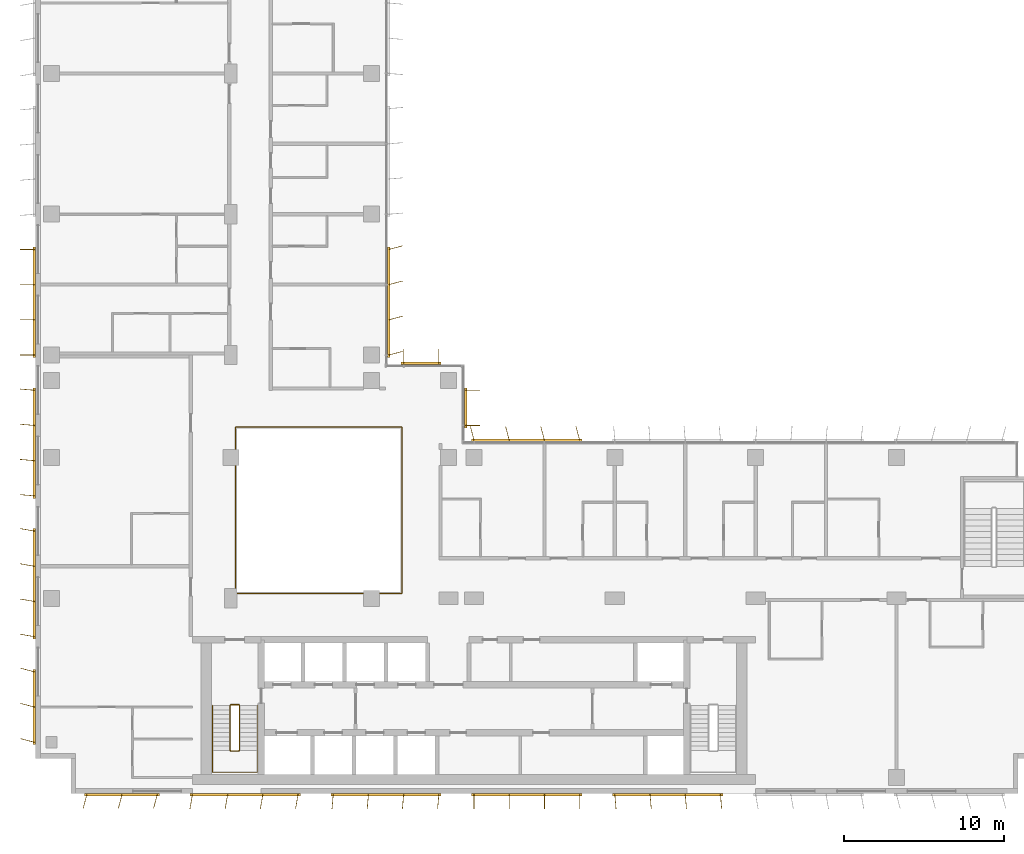
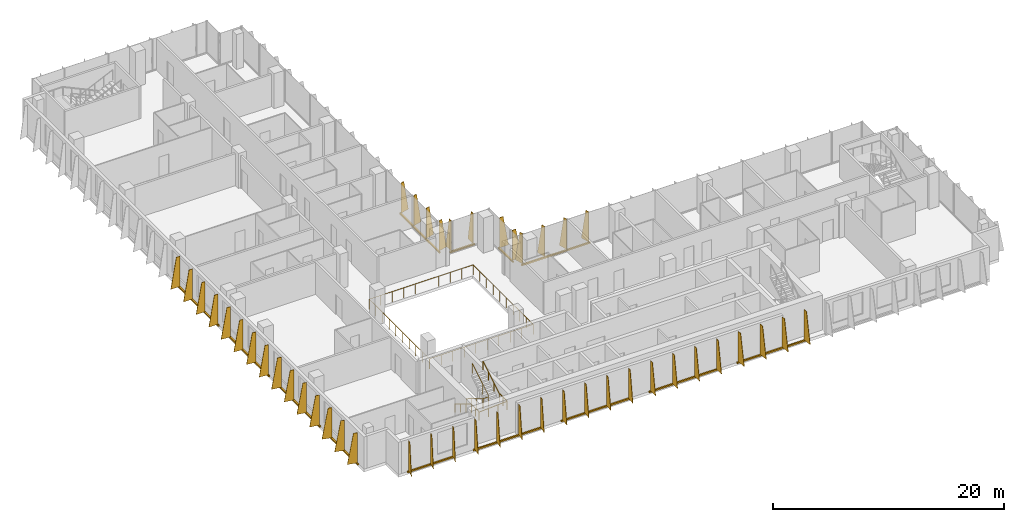
# One storey, part 19 of 21: 13 shading devices, 3 railings.
"""IFC4 building model written with IfcOpenShell, lengths in metres."""

from ifc_helpers import new_model, si_unit, direction, frame, origin, origin_2d, place, context, subcontext, project, spatial, polyline, rectangle, circle, outline, extrude, source, transform, mapped, material, layer, layer_set, type_object, element, save


model = new_model("IFC4")

# Units and contexts
model_context = context("Model", 3, precision=1e-05, world=origin(), true_north=direction((0.0, 1.0)))
body_context = subcontext(model_context, "Body", "Model", "MODEL_VIEW")
ifc_project = project(units=[si_unit("LENGTHUNIT", "METRE"), si_unit("AREAUNIT", "SQUARE_METRE"), si_unit("VOLUMEUNIT", "CUBIC_METRE"), si_unit("PLANEANGLEUNIT", "RADIAN"), si_unit("MASSUNIT", "GRAM", prefix="KILO")], contexts=[model_context])

# Site, building, storey
site_placement = place(None, origin())
site = spatial("IfcSite", under=ifc_project, at=site_placement, CompositionType="ELEMENT")
building_placement = place(site_placement, origin())
building = spatial("IfcBuilding", under=site, at=building_placement, Name="Kemantara Hotel Tower", CompositionType="ELEMENT")
storey_placement = place(building_placement, frame((0.0, 0.0, 171.60009765625)))
storey = spatial("IfcBuildingStorey", under=building, at=storey_placement, Name="L42", CompositionType="ELEMENT", Elevation=171.60009765625)

# Railings
ifc_material_1 = material(Name="Stainless steel and laminated glass balustrade", Category="steel")
railing_type_1 = type_object("IfcRailingType", Name="ATRIUM GUARD 1100", PredefinedType="GUARDRAIL", material=ifc_material_1)
railing_1_placement = place(storey_placement, frame((12.56005859375, 12.5, 0.0)))
element("IfcRailing", 1, at=railing_1_placement, inside=storey, type_object=railing_type_1, Name="ATRIUM GUARD L42", PredefinedType="GUARDRAIL", context=body_context, shape_type="SweptSolid", body=[
    extrude(circle(Radius=0.02490234375, at=origin_2d()), frame((0.0, 0.0, 1.0751953125), z_axis=(1.0, 0.0, 0.0), x_axis=(0.0, 1.0, 0.0)), (0.0, 0.0, 1.0), 10.33984375),
    extrude(circle(Radius=0.02490234375, at=origin_2d()), frame((10.33984375, 0.0, 1.0751953125), z_axis=(0.0, 1.0, 0.0), x_axis=(-1.0, 0.0, 0.0)), (0.0, 0.0, 1.0), 10.39990234375),
    extrude(circle(Radius=0.02490234375, at=origin_2d()), frame((10.33984375, 10.39990234375, 1.0751953125), z_axis=(-1.0, 0.0, 0.0), x_axis=(0.0, -1.0, 0.0)), (0.0, 0.0, 1.0), 10.39990234375),
    extrude(circle(Radius=0.02490234375, at=origin_2d()), frame((-0.06005859375, 10.39990234375, 1.0751953125), z_axis=(0.0, -1.0, 0.0), x_axis=(1.0, 0.0, 0.0)), (0.0, 0.0, 1.0), 10.39990234375),
    extrude(circle(Radius=0.02001953125, at=origin_2d()), origin(), (0.0, 0.0, 1.0), 1.050048828125),
    extrude(circle(Radius=0.02001953125, at=origin_2d()), frame((1.14892578125, 0.0, 0.0)), (0.0, 0.0, 1.0), 1.050048828125),
    extrude(circle(Radius=0.02001953125, at=origin_2d()), frame((2.2978515625, 0.0, 0.0)), (0.0, 0.0, 1.0), 1.050048828125),
    extrude(circle(Radius=0.02001953125, at=origin_2d()), frame((3.446533203125, 0.0, 0.0)), (0.0, 0.0, 1.0), 1.050048828125),
    extrude(circle(Radius=0.02001953125, at=origin_2d()), frame((4.595458984375, 0.0, 0.0)), (0.0, 0.0, 1.0), 1.050048828125),
    extrude(circle(Radius=0.02001953125, at=origin_2d()), frame((5.744384765625, 0.0, 0.0)), (0.0, 0.0, 1.0), 1.050048828125),
    extrude(circle(Radius=0.02001953125, at=origin_2d()), frame((6.893310546875, 0.0, 0.0)), (0.0, 0.0, 1.0), 1.050048828125),
    extrude(circle(Radius=0.02001953125, at=origin_2d()), frame((8.0419921875, 0.0, 0.0)), (0.0, 0.0, 1.0), 1.050048828125),
    extrude(circle(Radius=0.02001953125, at=origin_2d()), frame((9.19091796875, 0.0, 0.0)), (0.0, 0.0, 1.0), 1.050048828125),
    extrude(circle(Radius=0.02001953125, at=origin_2d()), frame((10.33984375, 0.0, 0.0)), (0.0, 0.0, 1.0), 1.050048828125),
    extrude(circle(Radius=0.02001953125, at=origin_2d()), frame((10.33984375, 1.155517578125, 0.0)), (0.0, 0.0, 1.0), 1.050048828125),
    extrude(circle(Radius=0.02001953125, at=origin_2d()), frame((10.33984375, 2.31103515625, 0.0)), (0.0, 0.0, 1.0), 1.050048828125),
    extrude(circle(Radius=0.02001953125, at=origin_2d()), frame((10.33984375, 3.466552734375, 0.0)), (0.0, 0.0, 1.0), 1.050048828125),
    extrude(circle(Radius=0.02001953125, at=origin_2d()), frame((10.33984375, 4.6220703125, 0.0)), (0.0, 0.0, 1.0), 1.050048828125),
    extrude(circle(Radius=0.02001953125, at=origin_2d()), frame((10.33984375, 5.77783203125, 0.0)), (0.0, 0.0, 1.0), 1.050048828125),
    extrude(circle(Radius=0.02001953125, at=origin_2d()), frame((10.33984375, 6.933349609375, 0.0)), (0.0, 0.0, 1.0), 1.050048828125),
    extrude(circle(Radius=0.02001953125, at=origin_2d()), frame((10.33984375, 8.0888671875, 0.0)), (0.0, 0.0, 1.0), 1.050048828125),
    extrude(circle(Radius=0.02001953125, at=origin_2d()), frame((10.33984375, 9.244384765625, 0.0)), (0.0, 0.0, 1.0), 1.050048828125),
    extrude(circle(Radius=0.02001953125, at=origin_2d()), frame((10.33984375, 10.39990234375, 0.0)), (0.0, 0.0, 1.0), 1.050048828125),
    extrude(circle(Radius=0.02001953125, at=origin_2d()), frame((9.184326171875, 10.39990234375, 0.0)), (0.0, 0.0, 1.0), 1.050048828125),
    extrude(circle(Radius=0.02001953125, at=origin_2d()), frame((8.02880859375, 10.39990234375, 0.0)), (0.0, 0.0, 1.0), 1.050048828125),
    extrude(circle(Radius=0.02001953125, at=origin_2d()), frame((6.873291015625, 10.39990234375, 0.0)), (0.0, 0.0, 1.0), 1.050048828125),
    extrude(circle(Radius=0.02001953125, at=origin_2d()), frame((5.7177734375, 10.39990234375, 0.0)), (0.0, 0.0, 1.0), 1.050048828125),
    extrude(circle(Radius=0.02001953125, at=origin_2d()), frame((4.56201171875, 10.39990234375, 0.0)), (0.0, 0.0, 1.0), 1.050048828125),
    extrude(circle(Radius=0.02001953125, at=origin_2d()), frame((3.406494140625, 10.39990234375, 0.0)), (0.0, 0.0, 1.0), 1.050048828125),
    extrude(circle(Radius=0.02001953125, at=origin_2d()), frame((2.2509765625, 10.39990234375, 0.0)), (0.0, 0.0, 1.0), 1.050048828125),
    extrude(circle(Radius=0.02001953125, at=origin_2d()), frame((1.095458984375, 10.39990234375, 0.0)), (0.0, 0.0, 1.0), 1.050048828125),
    extrude(circle(Radius=0.02001953125, at=origin_2d()), frame((-0.06005859375, 10.39990234375, 0.0)), (0.0, 0.0, 1.0), 1.050048828125),
    extrude(circle(Radius=0.02001953125, at=origin_2d()), frame((-0.06005859375, 9.244384765625, 0.0)), (0.0, 0.0, 1.0), 1.050048828125),
    extrude(circle(Radius=0.02001953125, at=origin_2d()), frame((-0.06005859375, 8.0888671875, 0.0)), (0.0, 0.0, 1.0), 1.050048828125),
    extrude(circle(Radius=0.02001953125, at=origin_2d()), frame((-0.06005859375, 6.933349609375, 0.0)), (0.0, 0.0, 1.0), 1.050048828125),
    extrude(circle(Radius=0.02001953125, at=origin_2d()), frame((-0.06005859375, 5.77783203125, 0.0)), (0.0, 0.0, 1.0), 1.050048828125),
    extrude(circle(Radius=0.02001953125, at=origin_2d()), frame((-0.06005859375, 4.6220703125, 0.0)), (0.0, 0.0, 1.0), 1.050048828125),
    extrude(circle(Radius=0.02001953125, at=origin_2d()), frame((-0.06005859375, 3.466552734375, 0.0)), (0.0, 0.0, 1.0), 1.050048828125),
    extrude(circle(Radius=0.02001953125, at=origin_2d()), frame((-0.06005859375, 2.31103515625, 0.0)), (0.0, 0.0, 1.0), 1.050048828125),
    extrude(circle(Radius=0.02001953125, at=origin_2d()), frame((-0.06005859375, 1.155517578125, 0.0)), (0.0, 0.0, 1.0), 1.050048828125),
    extrude(circle(Radius=0.02001953125, at=origin_2d()), frame((-0.06005859375, 0.0, 0.0)), (0.0, 0.0, 1.0), 1.050048828125),
])
ifc_material_2 = material(Name="Stainless steel balustrade", Category="steel")
railing_type_2 = type_object("IfcRailingType", Name="Stair guard 1100 mm", PredefinedType="GUARDRAIL", material=ifc_material_2)
railing_2_placement = place(storey_placement, frame((12.75, 5.5, 3.699951171875)))
element("IfcRailing", 2, at=railing_2_placement, inside=storey, type_object=railing_type_2, Name="L42 ST1 stair guard 1", PredefinedType="GUARDRAIL", context=body_context, shape_type="SweptSolid", body=[
    extrude(circle(Radius=0.02392578125, at=origin_2d()), frame((0.0, 0.0, 1.076171875), z_axis=(0.0, -0.857242210791, -0.514913383045), x_axis=(1.0, 0.0, 0.0)), (0.0, 0.0, 1.0), 3.266357421875),
    extrude(circle(Radius=0.02392578125, at=origin_2d()), frame((0.0, -2.800048828125, -0.60595703125), z_axis=(-0.274243871929, -0.274243871929, -0.92172696468), x_axis=(0.707106781187, -0.707106781187, 0.0)), (0.0, 0.0, 1.0), 0.1826171875),
    extrude(circle(Radius=0.02392578125, at=origin_2d()), frame((-0.050048828125, -2.85009765625, -0.77392578125), z_axis=(-1.0, 0.0, 0.0), x_axis=(0.0, -1.0, 0.0)), (0.0, 0.0, 1.0), 0.5),
    extrude(circle(Radius=0.02392578125, at=origin_2d()), frame((-0.550048828125, -2.85009765625, -0.77392578125), z_axis=(-0.707106781187, 0.707106781187, 0.0), x_axis=(-0.707106781187, -0.707106781187, 0.0)), (0.0, 0.0, 1.0), 0.07080078125),
    extrude(circle(Radius=0.02392578125, at=origin_2d()), frame((-0.60009765625, -2.800048828125, -0.77392578125), z_axis=(0.0, 0.857242210791, -0.514913383045), x_axis=(-1.0, 0.0, 0.0)), (0.0, 0.0, 1.0), 3.266357421875),
    extrude(circle(Radius=0.02392578125, at=origin_2d()), frame((-0.60009765625, 0.0, -2.4560546875), z_axis=(0.274582412415, 0.274582412415, -0.921525364591), x_axis=(-0.707106781187, 0.707106781187, 0.0)), (0.0, 0.0, 1.0), 0.182373046875),
    extrude(circle(Radius=0.02392578125, at=origin_2d()), frame((-0.550048828125, 0.050048828125, -2.6240234375), z_axis=(1.0, 0.0, 0.0), x_axis=(0.0, 1.0, 0.0)), (0.0, 0.0, 1.0), 0.5),
    extrude(circle(Radius=0.02099609375, at=origin_2d()), origin(), (0.0, 0.0, 1.0), 1.052001953125),
    extrude(circle(Radius=0.02099609375, at=origin_2d()), frame((0.0, -0.933349609375, -0.560546875)), (0.0, 0.0, 1.0), 1.052001953125),
    extrude(circle(Radius=0.02099609375, at=origin_2d()), frame((0.0, -1.86669921875, -1.121337890625)), (0.0, 0.0, 1.0), 1.052001953125),
    extrude(circle(Radius=0.02099609375, at=origin_2d()), frame((0.0, -2.800048828125, -1.681884765625)), (0.0, 0.0, 1.0), 1.052001953125),
    extrude(circle(Radius=0.02099609375, at=origin_2d()), frame((-0.050048828125, -2.85009765625, -1.85009765625)), (0.0, 0.0, 1.0), 1.052001953125),
    extrude(circle(Radius=0.02099609375, at=origin_2d()), frame((-0.550048828125, -2.85009765625, -1.85009765625)), (0.0, 0.0, 1.0), 1.052001953125),
    extrude(circle(Radius=0.02099609375, at=origin_2d()), frame((-0.60009765625, -2.800048828125, -1.85009765625)), (0.0, 0.0, 1.0), 1.052001953125),
    extrude(circle(Radius=0.02099609375, at=origin_2d()), frame((-0.60009765625, -1.86669921875, -2.41064453125)), (0.0, 0.0, 1.0), 1.052001953125),
    extrude(circle(Radius=0.02099609375, at=origin_2d()), frame((-0.60009765625, -0.933349609375, -2.971435546875)), (0.0, 0.0, 1.0), 1.052001953125),
    extrude(circle(Radius=0.02099609375, at=origin_2d()), frame((-0.60009765625, 0.0, -3.531982421875)), (0.0, 0.0, 1.0), 1.052001953125),
    extrude(circle(Radius=0.02099609375, at=origin_2d()), frame((-0.550048828125, 0.050048828125, -3.699951171875)), (0.0, 0.0, 1.0), 1.052001953125),
    extrude(circle(Radius=0.02099609375, at=origin_2d()), frame((-0.050048828125, 0.050048828125, -3.699951171875)), (0.0, 0.0, 1.0), 1.052001953125),
])
railing_type_3 = type_object("IfcRailingType", Name="Stair handrail 900 mm", PredefinedType="HANDRAIL", material=ifc_material_2)
railing_3_placement = place(storey_placement, frame((11.050048828125, 5.5, 0.16796875)))
element("IfcRailing", 3, at=railing_3_placement, inside=storey, type_object=railing_type_3, Name="L42 ST1 stair handrail 1", PredefinedType="HANDRAIL", context=body_context, shape_type="SweptSolid", body=[
    extrude(circle(Radius=0.02392578125, at=origin_2d()), frame((0.0, 0.0, 0.8759765625), z_axis=(0.0, -0.857242210791, 0.514913383045), x_axis=(1.0, 0.0, 0.0)), (0.0, 0.0, 1.0), 3.266357421875),
    extrude(circle(Radius=0.02392578125, at=origin_2d()), frame((0.0, -2.800048828125, 2.5576171875), z_axis=(0.0, -1.0, 0.0), x_axis=(1.0, 0.0, 0.0)), (0.0, 0.0, 1.0), 1.3798828125),
    extrude(circle(Radius=0.02392578125, at=origin_2d()), frame((0.0, -4.179931640625, 2.5576171875), z_axis=(0.998200367801, 0.0, 0.059966871865), x_axis=(0.0, 1.0, 0.0)), (0.0, 0.0, 1.0), 2.80517578125),
    extrude(circle(Radius=0.02392578125, at=origin_2d()), frame((2.800048828125, -4.179931640625, 2.72607421875), z_axis=(0.0, 1.0, 0.0), x_axis=(-1.0, 0.0, 0.0)), (0.0, 0.0, 1.0), 1.3798828125),
    extrude(circle(Radius=0.02392578125, at=origin_2d()), frame((2.800048828125, -2.800048828125, 2.72607421875), z_axis=(0.0, 0.857242210791, 0.514913383045), x_axis=(-1.0, 0.0, 0.0)), (0.0, 0.0, 1.0), 3.266357421875),
    extrude(circle(Radius=0.02099609375, at=origin_2d()), origin(), (0.0, 0.0, 1.0), 0.851806640625),
    extrude(circle(Radius=0.02099609375, at=origin_2d()), frame((0.0, -0.933349609375, 0.560546875)), (0.0, 0.0, 1.0), 0.851806640625),
    extrude(circle(Radius=0.02099609375, at=origin_2d()), frame((0.0, -1.86669921875, 1.121337890625)), (0.0, 0.0, 1.0), 0.851806640625),
    extrude(circle(Radius=0.02099609375, at=origin_2d()), frame((0.0, -2.800048828125, 1.681884765625)), (0.0, 0.0, 1.0), 0.851806640625),
    extrude(circle(Radius=0.02099609375, at=origin_2d()), frame((0.0, -3.489990234375, 1.681884765625)), (0.0, 0.0, 1.0), 0.851806640625),
    extrude(circle(Radius=0.02099609375, at=origin_2d()), frame((0.0, -4.179931640625, 1.681884765625)), (0.0, 0.0, 1.0), 0.851806640625),
    extrude(circle(Radius=0.02099609375, at=origin_2d()), frame((0.933349609375, -4.179931640625, 1.738037109375)), (0.0, 0.0, 1.0), 0.851806640625),
    extrude(circle(Radius=0.02099609375, at=origin_2d()), frame((1.86669921875, -4.179931640625, 1.7939453125)), (0.0, 0.0, 1.0), 0.851806640625),
    extrude(circle(Radius=0.02099609375, at=origin_2d()), frame((2.800048828125, -4.179931640625, 1.85009765625)), (0.0, 0.0, 1.0), 0.851806640625),
    extrude(circle(Radius=0.02099609375, at=origin_2d()), frame((2.800048828125, -3.489990234375, 1.85009765625)), (0.0, 0.0, 1.0), 0.851806640625),
    extrude(circle(Radius=0.02099609375, at=origin_2d()), frame((2.800048828125, -2.800048828125, 1.85009765625)), (0.0, 0.0, 1.0), 0.851806640625),
    extrude(circle(Radius=0.02099609375, at=origin_2d()), frame((2.800048828125, -1.86669921875, 2.41064453125)), (0.0, 0.0, 1.0), 0.851806640625),
    extrude(circle(Radius=0.02099609375, at=origin_2d()), frame((2.800048828125, -0.933349609375, 2.971435546875)), (0.0, 0.0, 1.0), 0.851806640625),
    extrude(circle(Radius=0.02099609375, at=origin_2d()), frame((2.800048828125, 0.0, 3.531982421875)), (0.0, 0.0, 1.0), 0.851806640625),
])

# Shading devices
ifc_material_3 = material(Name="Perforated aluminium plate 4 mm bronze anodised", Category="aluminium")
ifc_layer_1 = layer(ifc_material_3, 0.0400390625)
ifc_layer_set_1 = layer_set([ifc_layer_1], Name="Perforated aluminium plate 4 mm bronze anodised")
shading_device_type_1 = type_object("IfcShadingDeviceType", Name="SCREEN FIN CASSETTE, 3 BLADES AT -15.0 DEG, 3200 HIGH", PredefinedType="USERDEFINED", material=ifc_layer_set_1)
shared_shape_1 = source(origin(), body_context, "Body", "SweptSolid", [
    extrude(rectangle(XDim=4.699951171875, YDim=0.14990234375, at=origin_2d()), frame((2.199951171875, -0.074951171875, -0.14990234375), z_axis=(0.0, 0.0, 1.0), x_axis=(1.0, 0.0, 0.0)), (0.0, 0.0, 1.0), 0.14990234375),
    extrude(outline(polyline([(0.0, 0.0), (0.89990234375, 0.0), (0.35009765625, 3.199951171875), (0.0, 3.199951171875), (0.0, 0.0)])), frame((0.019287109375, -0.080078125, 0.0), z_axis=(-0.966437683387, 0.256901156343, 0.0), x_axis=(-0.256901156343, -0.966437683387, 0.0)), (0.0, 0.0, 1.0), 0.039794921875),
    extrude(outline(polyline([(0.0, 0.0), (0.89990234375, 0.0), (0.35009765625, 3.199951171875), (0.0, 3.199951171875), (0.0, 0.0)])), frame((2.21923828125, -0.080078125, 0.0), z_axis=(-0.966437683387, 0.256901156343, 0.0), x_axis=(-0.256901156343, -0.966437683387, 0.0)), (0.0, 0.0, 1.0), 0.039794921875),
    extrude(outline(polyline([(0.0, 0.0), (0.89990234375, 0.0), (0.35009765625, 3.199951171875), (0.0, 3.199951171875), (0.0, 0.0)])), frame((4.41943359375, -0.080078125, 0.0), z_axis=(-0.966837822169, 0.255391122837, 0.0), x_axis=(-0.255391122837, -0.966837822169, 0.0)), (0.0, 0.0, 1.0), 0.0400390625),
])
for number, where, z_axis, x_axis, name in (
    (4, (0.0, 7.60009765625, 0.099853515625), (0.0, 0.0, 1.0), (0.0, -1.0, 0.0), "SCREEN FIN CASSETTE L42 T3-R05-7"),
    (5, (3.199951171875, 0.0, 0.099853515625), (0.0, 0.0, 1.0), (1.0, 0.0, 0.0), "SCREEN FIN CASSETTE L42 T3-R08-1"),
):
    element("IfcShadingDevice", number, at=place(storey_placement, frame(where, z_axis=z_axis, x_axis=x_axis)), inside=storey, type_object=shading_device_type_1, Name=name, ObjectType="SCREEN FIN", PredefinedType="USERDEFINED", context=body_context, shape_type="MappedRepresentation", body=[
        mapped(shared_shape_1, transform((0.0, 0.0, 0.0))),
    ])
ifc_layer_2 = layer(ifc_material_3, 0.0400390625)
ifc_layer_set_2 = layer_set([ifc_layer_2], Name="Perforated aluminium plate 4 mm bronze anodised")
shading_device_type_2 = type_object("IfcShadingDeviceType", Name="SCREEN FIN CASSETTE, 4 BLADES AT -10.0 DEG, 3200 HIGH", PredefinedType="USERDEFINED", material=ifc_layer_set_2)
shared_shape_2 = source(origin(), body_context, "Body", "SweptSolid", [
    extrude(rectangle(XDim=6.89990234375, YDim=0.14990234375, at=origin_2d()), frame((3.300048828125, -0.074951171875, -0.14990234375), z_axis=(0.0, 0.0, 1.0), x_axis=(1.0, 0.0, 0.0)), (0.0, 0.0, 1.0), 0.14990234375),
    extrude(outline(polyline([(0.0, 0.0), (0.89990234375, 0.0), (0.35009765625, 3.199951171875), (0.0, 3.199951171875), (0.0, 0.0)])), frame((0.019775390625, -0.078369140625, 0.0), z_axis=(-0.985389793052, 0.170314285219, 0.0), x_axis=(-0.170314285219, -0.985389793052, 0.0)), (0.0, 0.0, 1.0), 0.0400390625),
    extrude(outline(polyline([(0.0, 0.0), (0.89990234375, 0.0), (0.35009765625, 3.199951171875), (0.0, 3.199951171875), (0.0, 0.0)])), frame((2.2197265625, -0.078369140625, 0.0), z_axis=(-0.98521175482, 0.171341174751, 0.0), x_axis=(-0.171341174751, -0.98521175482, 0.0)), (0.0, 0.0, 1.0), 0.039794921875),
    extrude(outline(polyline([(0.0, 0.0), (0.89990234375, 0.0), (0.35009765625, 3.199951171875), (0.0, 3.199951171875), (0.0, 0.0)])), frame((4.419677734375, -0.078369140625, 0.0), z_axis=(-0.98521175482, 0.171341174751, 0.0), x_axis=(-0.171341174751, -0.98521175482, 0.0)), (0.0, 0.0, 1.0), 0.039794921875),
    extrude(outline(polyline([(0.0, 0.0), (0.89990234375, 0.0), (0.35009765625, 3.199951171875), (0.0, 3.199951171875), (0.0, 0.0)])), frame((6.61962890625, -0.078369140625, 0.0), z_axis=(-0.98521175482, 0.171341174751, 0.0), x_axis=(-0.171341174751, -0.98521175482, 0.0)), (0.0, 0.0, 1.0), 0.039794921875),
])
for number, where, z_axis, x_axis, name in (
    (6, (0.0, 16.39990234375, 0.099853515625), (0.0, 0.0, 1.0), (0.0, -1.0, 0.0), "SCREEN FIN CASSETTE L42 T3-R05-6"),
    (7, (9.800048828125, 0.0, 0.099853515625), (0.0, 0.0, 1.0), (1.0, 0.0, 0.0), "SCREEN FIN CASSETTE L42 T3-R08-2"),
):
    element("IfcShadingDevice", number, at=place(storey_placement, frame(where, z_axis=z_axis, x_axis=x_axis)), inside=storey, type_object=shading_device_type_2, Name=name, ObjectType="SCREEN FIN", PredefinedType="USERDEFINED", context=body_context, shape_type="MappedRepresentation", body=[
        mapped(shared_shape_2, transform((0.0, 0.0, 0.0))),
    ])
ifc_layer_3 = layer(ifc_material_3, 0.0400390625)
ifc_layer_set_3 = layer_set([ifc_layer_3], Name="Perforated aluminium plate 4 mm bronze anodised")
shading_device_type_3 = type_object("IfcShadingDeviceType", Name="SCREEN FIN CASSETTE, 4 BLADES AT -5.0 DEG, 3200 HIGH", PredefinedType="USERDEFINED", material=ifc_layer_set_3)
shared_shape_3 = source(origin(), body_context, "Body", "SweptSolid", [
    extrude(rectangle(XDim=6.89990234375, YDim=0.14990234375, at=origin_2d()), frame((3.300048828125, -0.074951171875, -0.14990234375), z_axis=(0.0, 0.0, 1.0), x_axis=(1.0, 0.0, 0.0)), (0.0, 0.0, 1.0), 0.14990234375),
    extrude(outline(polyline([(0.0, 0.0), (0.89990234375, 0.0), (0.35009765625, 3.199951171875), (0.0, 3.199951171875), (0.0, 0.0)])), frame((0.02001953125, -0.07666015625, 0.0), z_axis=(-0.996376129781, 0.085056498884, 0.0), x_axis=(-0.085056498884, -0.996376129781, 0.0)), (0.0, 0.0, 1.0), 0.040283203125),
    extrude(outline(polyline([(0.0, 0.0), (0.89990234375, 0.0), (0.35009765625, 3.199951171875), (0.0, 3.199951171875), (0.0, 0.0)])), frame((2.219970703125, -0.07666015625, 0.0), z_axis=(-0.996331773833, 0.085574508182, 0.0), x_axis=(-0.085574508182, -0.996331773833, 0.0)), (0.0, 0.0, 1.0), 0.0400390625),
    extrude(outline(polyline([(0.0, 0.0), (0.89990234375, 0.0), (0.35009765625, 3.199951171875), (0.0, 3.199951171875), (0.0, 0.0)])), frame((4.419921875, -0.07666015625, 0.0), z_axis=(-0.996331773833, 0.085574508182, 0.0), x_axis=(-0.085574508182, -0.996331773833, 0.0)), (0.0, 0.0, 1.0), 0.0400390625),
    extrude(outline(polyline([(0.0, 0.0), (0.89990234375, 0.0), (0.35009765625, 3.199951171875), (0.0, 3.199951171875), (0.0, 0.0)])), frame((6.619873046875, -0.07666015625, 0.0), z_axis=(-0.996331773833, 0.085574508182, 0.0), x_axis=(-0.085574508182, -0.996331773833, 0.0)), (0.0, 0.0, 1.0), 0.0400390625),
])
for number, where, z_axis, x_axis, name in (
    (8, (0.0, 25.199951171875, 0.099853515625), (0.0, 0.0, 1.0), (0.0, -1.0, 0.0), "SCREEN FIN CASSETTE L42 T3-R05-5"),
    (9, (18.60009765625, 0.0, 0.099853515625), (0.0, 0.0, 1.0), (1.0, 0.0, 0.0), "SCREEN FIN CASSETTE L42 T3-R08-3"),
):
    element("IfcShadingDevice", number, at=place(storey_placement, frame(where, z_axis=z_axis, x_axis=x_axis)), inside=storey, type_object=shading_device_type_3, Name=name, ObjectType="SCREEN FIN", PredefinedType="USERDEFINED", context=body_context, shape_type="MappedRepresentation", body=[
        mapped(shared_shape_3, transform((0.0, 0.0, 0.0))),
    ])
ifc_layer_4 = layer(ifc_material_3, 0.0400390625)
ifc_layer_set_4 = layer_set([ifc_layer_4], Name="Perforated aluminium plate 4 mm bronze anodised")
shading_device_type_4 = type_object("IfcShadingDeviceType", Name="SCREEN FIN CASSETTE, 4 BLADES AT +0.0 DEG, 3200 HIGH", PredefinedType="USERDEFINED", material=ifc_layer_set_4)
shared_shape_4 = source(origin(), body_context, "Body", "SweptSolid", [
    extrude(rectangle(XDim=6.89990234375, YDim=0.14990234375, at=origin_2d()), frame((3.300048828125, -0.074951171875, -0.14990234375), z_axis=(0.0, 0.0, 1.0), x_axis=(1.0, 0.0, 0.0)), (0.0, 0.0, 1.0), 0.14990234375),
    extrude(outline(polyline([(0.0, 0.0), (0.89990234375, 0.0), (0.35009765625, 3.199951171875), (0.0, 3.199951171875), (0.0, 0.0)])), frame((0.02001953125, -0.074951171875, 0.0), z_axis=(-1.0, 0.0, 0.0), x_axis=(0.0, -1.0, 0.0)), (0.0, 0.0, 1.0), 0.0400390625),
    extrude(outline(polyline([(0.0, 0.0), (0.89990234375, 0.0), (0.35009765625, 3.199951171875), (0.0, 3.199951171875), (0.0, 0.0)])), frame((2.219970703125, -0.074951171875, 0.0), z_axis=(-1.0, 0.0, 0.0), x_axis=(0.0, -1.0, 0.0)), (0.0, 0.0, 1.0), 0.0400390625),
    extrude(outline(polyline([(0.0, 0.0), (0.89990234375, 0.0), (0.35009765625, 3.199951171875), (0.0, 3.199951171875), (0.0, 0.0)])), frame((4.419921875, -0.074951171875, 0.0), z_axis=(-1.0, 0.0, 0.0), x_axis=(0.0, -1.0, 0.0)), (0.0, 0.0, 1.0), 0.0400390625),
    extrude(outline(polyline([(0.0, 0.0), (0.89990234375, 0.0), (0.35009765625, 3.199951171875), (0.0, 3.199951171875), (0.0, 0.0)])), frame((6.6201171875, -0.074951171875, 0.0), z_axis=(-1.0, 0.0, 0.0), x_axis=(0.0, -1.0, 0.0)), (0.0, 0.0, 1.0), 0.0400390625),
])
for number, where, z_axis, x_axis, name in (
    (10, (0.0, 34.0, 0.099853515625), (0.0, 0.0, 1.0), (0.0, -1.0, 0.0), "SCREEN FIN CASSETTE L42 T3-R05-4"),
    (11, (27.39990234375, 0.0, 0.099853515625), (0.0, 0.0, 1.0), (1.0, 0.0, 0.0), "SCREEN FIN CASSETTE L42 T3-R08-4"),
):
    element("IfcShadingDevice", number, at=place(storey_placement, frame(where, z_axis=z_axis, x_axis=x_axis)), inside=storey, type_object=shading_device_type_4, Name=name, ObjectType="SCREEN FIN", PredefinedType="USERDEFINED", context=body_context, shape_type="MappedRepresentation", body=[
        mapped(shared_shape_4, transform((0.0, 0.0, 0.0))),
    ])
ifc_layer_5 = layer(ifc_material_3, 0.0400390625)
ifc_layer_set_5 = layer_set([ifc_layer_5], Name="Perforated aluminium plate 4 mm bronze anodised")
shading_device_type_5 = type_object("IfcShadingDeviceType", Name="SCREEN FIN CASSETTE, 4 BLADES AT +5.0 DEG, 3200 HIGH", PredefinedType="USERDEFINED", material=ifc_layer_set_5)
shared_shape_5 = source(origin(), body_context, "Body", "SweptSolid", [
    extrude(rectangle(XDim=6.89990234375, YDim=0.14990234375, at=origin_2d()), frame((3.300048828125, -0.074951171875, -0.14990234375), z_axis=(0.0, 0.0, 1.0), x_axis=(1.0, 0.0, 0.0)), (0.0, 0.0, 1.0), 0.14990234375),
    extrude(outline(polyline([(0.0, 0.0), (0.89990234375, 0.0), (0.35009765625, 3.199951171875), (0.0, 3.199951171875), (0.0, 0.0)])), frame((0.02001953125, -0.0732421875, 0.0), z_axis=(-0.996376129781, -0.085056498884, 0.0), x_axis=(0.085056498884, -0.996376129781, 0.0)), (0.0, 0.0, 1.0), 0.040283203125),
    extrude(outline(polyline([(0.0, 0.0), (0.89990234375, 0.0), (0.35009765625, 3.199951171875), (0.0, 3.199951171875), (0.0, 0.0)])), frame((2.219970703125, -0.0732421875, 0.0), z_axis=(-0.996331773833, -0.085574508182, 0.0), x_axis=(0.085574508182, -0.996331773833, 0.0)), (0.0, 0.0, 1.0), 0.0400390625),
    extrude(outline(polyline([(0.0, 0.0), (0.89990234375, 0.0), (0.35009765625, 3.199951171875), (0.0, 3.199951171875), (0.0, 0.0)])), frame((4.419921875, -0.0732421875, 0.0), z_axis=(-0.996331773833, -0.085574508182, 0.0), x_axis=(0.085574508182, -0.996331773833, 0.0)), (0.0, 0.0, 1.0), 0.0400390625),
    extrude(outline(polyline([(0.0, 0.0), (0.89990234375, 0.0), (0.35009765625, 3.199951171875), (0.0, 3.199951171875), (0.0, 0.0)])), frame((6.619873046875, -0.0732421875, 0.0), z_axis=(-0.996331773833, -0.085574508182, 0.0), x_axis=(0.085574508182, -0.996331773833, 0.0)), (0.0, 0.0, 1.0), 0.0400390625),
])
shading_device_placement = place(storey_placement, frame((36.199951171875, 0.0, 0.099853515625), z_axis=(0.0, 0.0, 1.0), x_axis=(1.0, 0.0, 0.0)))
element("IfcShadingDevice", 12, at=shading_device_placement, inside=storey, type_object=shading_device_type_5, Name="SCREEN FIN CASSETTE L42 T3-R08-5", ObjectType="SCREEN FIN", PredefinedType="USERDEFINED", context=body_context, shape_type="MappedRepresentation", body=[
    mapped(shared_shape_5, transform((0.0, 0.0, 0.0))),
])
ifc_layer_6 = layer(ifc_material_3, 0.0400390625)
ifc_layer_set_6 = layer_set([ifc_layer_6], Name="Perforated aluminium plate 4 mm bronze anodised")
shading_device_type_6 = type_object("IfcShadingDeviceType", Name="SCREEN FIN CASSETTE, 4 BLADES AT +15.0 DEG, 3200 HIGH", PredefinedType="USERDEFINED", material=ifc_layer_set_6)
shared_shape_6 = source(origin(), body_context, "Body", "SweptSolid", [
    extrude(rectangle(XDim=6.89990234375, YDim=0.14990234375, at=origin_2d()), frame((3.300048828125, -0.074951171875, -0.14990234375), z_axis=(0.0, 0.0, 1.0), x_axis=(1.0, 0.0, 0.0)), (0.0, 0.0, 1.0), 0.14990234375),
    extrude(outline(polyline([(0.0, 0.0), (0.89990234375, 0.0), (0.35009765625, 3.199951171875), (0.0, 3.199951171875), (0.0, 0.0)])), frame((0.019287109375, -0.06982421875, 0.0), z_axis=(-0.966437683387, -0.256901156343, 0.0), x_axis=(0.256901156343, -0.966437683387, 0.0)), (0.0, 0.0, 1.0), 0.039794921875),
    extrude(outline(polyline([(0.0, 0.0), (0.89990234375, 0.0), (0.35009765625, 3.199951171875), (0.0, 3.199951171875), (0.0, 0.0)])), frame((2.21923828125, -0.06982421875, 0.0), z_axis=(-0.966437683387, -0.256901156343, 0.0), x_axis=(0.256901156343, -0.966437683387, 0.0)), (0.0, 0.0, 1.0), 0.039794921875),
    extrude(outline(polyline([(0.0, 0.0), (0.89990234375, 0.0), (0.35009765625, 3.199951171875), (0.0, 3.199951171875), (0.0, 0.0)])), frame((4.41943359375, -0.06982421875, 0.0), z_axis=(-0.966837822169, -0.255391122837, 0.0), x_axis=(0.255391122837, -0.966837822169, 0.0)), (0.0, 0.0, 1.0), 0.0400390625),
    extrude(outline(polyline([(0.0, 0.0), (0.89990234375, 0.0), (0.35009765625, 3.199951171875), (0.0, 3.199951171875), (0.0, 0.0)])), frame((6.619384765625, -0.06982421875, 0.0), z_axis=(-0.966837822169, -0.255391122837, 0.0), x_axis=(0.255391122837, -0.966837822169, 0.0)), (0.0, 0.0, 1.0), 0.0400390625),
])
for number, where, z_axis, x_axis, name in (
    (13, (34.0, 22.0, 0.099853515625), (0.0, 0.0, 1.0), (-1.0, 0.0, 0.0), "SCREEN FIN CASSETTE L42 T3-R14-4"),
    (14, (22.0, 27.39990234375, 0.099853515625), (0.0, 0.0, 1.0), (0.0, 1.0, 0.0), "SCREEN FIN CASSETTE L42 T3-R17-1"),
):
    element("IfcShadingDevice", number, at=place(storey_placement, frame(where, z_axis=z_axis, x_axis=x_axis)), inside=storey, type_object=shading_device_type_6, Name=name, ObjectType="SCREEN FIN", PredefinedType="USERDEFINED", context=body_context, shape_type="MappedRepresentation", body=[
        mapped(shared_shape_6, transform((0.0, 0.0, 0.0))),
    ])
ifc_layer_7 = layer(ifc_material_3, 0.0400390625)
ifc_layer_set_7 = layer_set([ifc_layer_7], Name="Perforated aluminium plate 4 mm bronze anodised")
shading_device_type_7 = type_object("IfcShadingDeviceType", Name="SCREEN FIN CASSETTE, 2 BLADES AT +0.0 DEG, 3200 HIGH", PredefinedType="USERDEFINED", material=ifc_layer_set_7)
shared_shape_7 = source(origin(), body_context, "Body", "SweptSolid", [
    extrude(rectangle(XDim=2.5, YDim=0.14990234375, at=origin_2d()), frame((1.10009765625, -0.074951171875, -0.14990234375), z_axis=(0.0, 0.0, 1.0), x_axis=(1.0, 0.0, 0.0)), (0.0, 0.0, 1.0), 0.14990234375),
    extrude(outline(polyline([(0.0, 0.0), (0.89990234375, 0.0), (0.35009765625, 3.199951171875), (0.0, 3.199951171875), (0.0, 0.0)])), frame((0.02001953125, -0.074951171875, 0.0), z_axis=(-1.0, 0.0, 0.0), x_axis=(0.0, -1.0, 0.0)), (0.0, 0.0, 1.0), 0.0400390625),
    extrude(outline(polyline([(0.0, 0.0), (0.89990234375, 0.0), (0.35009765625, 3.199951171875), (0.0, 3.199951171875), (0.0, 0.0)])), frame((2.219970703125, -0.074951171875, 0.0), z_axis=(-1.0, 0.0, 0.0), x_axis=(0.0, -1.0, 0.0)), (0.0, 0.0, 1.0), 0.0400390625),
])
for number, where, z_axis, x_axis, name in (
    (15, (26.800048828125, 23.0, 0.099853515625), (0.0, 0.0, 1.0), (0.0, 1.0, 0.0), "SCREEN FIN CASSETTE L42 T3-R15-1"),
    (16, (25.199951171875, 26.800048828125, 0.099853515625), (0.0, 0.0, 1.0), (-1.0, 0.0, 0.0), "SCREEN FIN CASSETTE L42 T3-R16-1"),
):
    element("IfcShadingDevice", number, at=place(storey_placement, frame(where, z_axis=z_axis, x_axis=x_axis)), inside=storey, type_object=shading_device_type_7, Name=name, ObjectType="SCREEN FIN", PredefinedType="USERDEFINED", context=body_context, shape_type="MappedRepresentation", body=[
        mapped(shared_shape_7, transform((0.0, 0.0, 0.0))),
    ])

save(model, "model.ifc")
